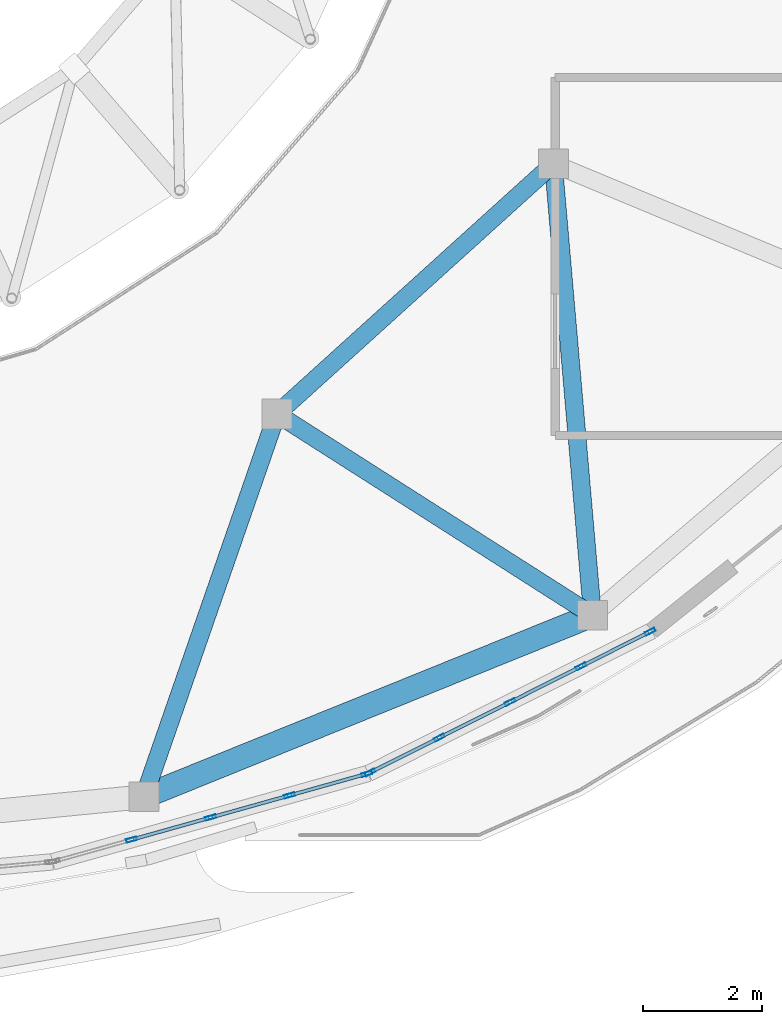
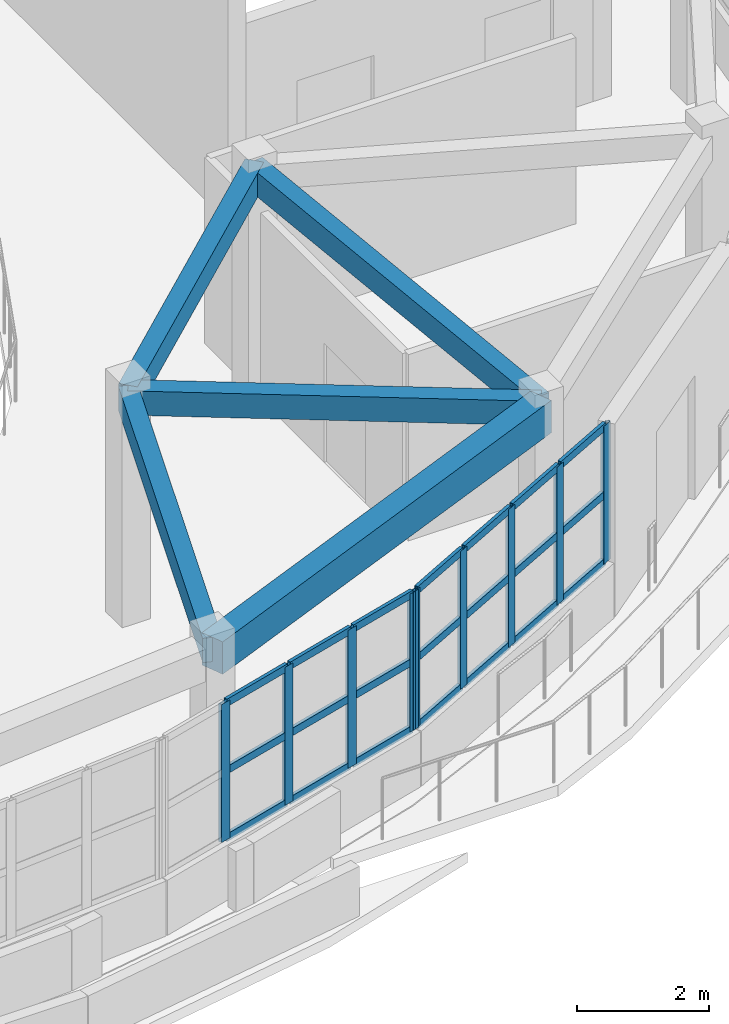
# One storey, part 14 of 38: 30 members, 5 beams, 2 elements without a shape of their own.
"""IFC4 building model written with IfcOpenShell, lengths in metres."""

from ifc_helpers import new_model, si_unit, direction, frame, origin, origin_2d, place, context, subcontext, project, spatial, rectangle, hollow_rectangle, extrude, material, layer, layer_set, material_profile, profile_set, type_object, element, aggregate, save


model = new_model("IFC4")

# Units and contexts
model_context = context("Model", 3, precision=1e-05, world=origin(), true_north=direction((0.0, 1.0)))
body_context = subcontext(model_context, "Body", "Model", "MODEL_VIEW")
ifc_project = project(units=[si_unit("LENGTHUNIT", "METRE"), si_unit("AREAUNIT", "SQUARE_METRE"), si_unit("VOLUMEUNIT", "CUBIC_METRE"), si_unit("PLANEANGLEUNIT", "RADIAN"), si_unit("MASSUNIT", "GRAM", prefix="KILO")], contexts=[model_context])

# Site, building, storey
site_placement = place(None, origin())
site = spatial("IfcSite", under=ifc_project, at=site_placement, CompositionType="ELEMENT")
building_placement = place(site_placement, origin())
building = spatial("IfcBuilding", under=site, at=building_placement, Name="Pelvatis Terrace Science Centre", CompositionType="ELEMENT")
storey_placement = place(building_placement, frame((0.0, 0.0, 24.300048828125)))
storey = spatial("IfcBuildingStorey", under=building, at=storey_placement, Name="L05", CompositionType="ELEMENT", Elevation=24.300048828125)

# Beams
ifc_material_1 = material(Name="Concrete C35/45", Category="concrete")
ifc_material_profile_1 = material_profile(ifc_material_1, rectangle(XDim=0.300048828125, YDim=0.449951171875, at=origin_2d()), Name="RC-BM 300x450")
ifc_profile_set_1 = profile_set([ifc_material_profile_1], Name="Concrete C35/45")
beam_type_1 = type_object("IfcBeamType", Name="BM-RC-300x450", PredefinedType="BEAM", material=ifc_profile_set_1)
beam_1_placement = place(storey_placement, frame((116.3046875, 66.743408203125, 4.034912109375), z_axis=(0.328071814406, 0.944652785203, 0.0), x_axis=(-0.944652785203, 0.328071814406, 0.0)))
element("IfcBeam", 1, at=beam_1_placement, inside=storey, type_object=beam_type_1, Name="Beam BM-L05-3140", PredefinedType="BEAM", context=body_context, shape_type="SweptSolid", body=[
    extrude(rectangle(XDim=0.300048828125, YDim=0.449951171875, at=origin_2d()), origin(), (0.0, 0.0, 1.0), 6.794189453125),
])
beam_2_placement = place(storey_placement, frame((123.82421875, 69.786376953125, 4.034912109375), z_axis=(-0.843044192258, 0.537844298937, 0.0), x_axis=(-0.537844298937, -0.843044192258, 0.0)))
element("IfcBeam", 2, at=beam_2_placement, inside=storey, type_object=beam_type_1, Name="Beam BM-L05-3142", PredefinedType="BEAM", context=body_context, shape_type="SweptSolid", body=[
    extrude(rectangle(XDim=0.300048828125, YDim=0.449951171875, at=origin_2d()), origin(), (0.0, 0.0, 1.0), 6.275390625),
])
beam_3_placement = place(storey_placement, frame((123.82421875, 69.786376953125, 4.034912109375), z_axis=(-0.086284318335, 0.99627055382, 0.0), x_axis=(-0.99627055382, -0.086284318335, 0.0)))
element("IfcBeam", 3, at=beam_3_placement, inside=storey, type_object=beam_type_1, Name="Beam BM-L05-3143", PredefinedType="BEAM", context=body_context, shape_type="SweptSolid", body=[
    extrude(rectangle(XDim=0.300048828125, YDim=0.449951171875, at=origin_2d()), origin(), (0.0, 0.0, 1.0), 7.59716796875),
])
beam_4_placement = place(storey_placement, frame((118.53369140625, 73.16162109375, 4.034912109375), z_axis=(0.741533928448, 0.670915369447, 0.0), x_axis=(-0.670915369447, 0.741533928448, 0.0)))
element("IfcBeam", 4, at=beam_4_placement, inside=storey, type_object=beam_type_1, Name="Beam BM-L05-3148", PredefinedType="BEAM", context=body_context, shape_type="SweptSolid", body=[
    extrude(rectangle(XDim=0.300048828125, YDim=0.449951171875, at=origin_2d()), origin(), (0.0, 0.0, 1.0), 6.25048828125),
])
ifc_material_2 = material(Name="Concrete C35/45", Category="concrete")
ifc_material_profile_2 = material_profile(ifc_material_2, rectangle(XDim=0.39990234375, YDim=0.60009765625, at=origin_2d()), Name="RC-BM 400x600")
ifc_profile_set_2 = profile_set([ifc_material_profile_2], Name="Concrete C35/45")
beam_type_2 = type_object("IfcBeamType", Name="BM-RC-400x600", PredefinedType="BEAM", material=ifc_profile_set_2)
beam_5_placement = place(storey_placement, frame((116.3046875, 66.743408203125, 3.9599609375), z_axis=(0.926974722929, 0.375123796967, 0.0), x_axis=(-0.375123796967, 0.926974722929, 0.0)))
element("IfcBeam", 5, at=beam_5_placement, inside=storey, type_object=beam_type_2, Name="Beam BM-L05-3139", PredefinedType="BEAM", context=body_context, shape_type="SweptSolid", body=[
    extrude(rectangle(XDim=0.39990234375, YDim=0.60009765625, at=origin_2d()), origin(), (0.0, 0.0, 1.0), 8.11181640625),
])

# Curtain wall, members
ifc_material_3 = material(Name="Bronze-anodised aluminium and laminated glass", Category="aluminium")
ifc_layer = layer(ifc_material_3, 0.179931640625)
ifc_layer_set = layer_set([ifc_layer], Name="Bronze-anodised aluminium and laminated glass")
curtain_wall_type = type_object("IfcCurtainWallType", Name="CW-RIBBON-A", PredefinedType="NOTDEFINED", material=ifc_layer_set)
curtain_wall_1_placement = place(storey_placement, origin())
curtain_wall_1 = element("IfcCurtainWall", 6, at=curtain_wall_1_placement, inside=storey, type_object=curtain_wall_type, Name="Ribbon curtain wall CW-259 (L05)", PredefinedType="NOTDEFINED")
ifc_material_4 = material(Name="Bronze-anodised aluminium 6063-T6", Category="aluminium")
ifc_material_profile_3 = material_profile(ifc_material_4, hollow_rectangle(XDim=0.06005859375, YDim=0.179931640625, WallThickness=0.00390625, at=origin_2d()), Name="ALU-MUL 60x180")
ifc_profile_set_3 = profile_set([ifc_material_profile_3], Name="Bronze-anodised aluminium 6063-T6")
member_type_1 = type_object("IfcMemberType", Name="CWM-60x180", PredefinedType="MULLION", material=ifc_profile_set_3)
member_1_placement = place(storey_placement, frame((116.09765625, 66.0234375, 1.02001953125), z_axis=(0.0, 0.0, 1.0), x_axis=(-0.269694685663, 0.962945884526, 0.0)))
member_1 = element("IfcMember", 7, at=member_1_placement, type_object=member_type_1, Name="CW-259 mullion 2", PredefinedType="MULLION", context=body_context, shape_type="SweptSolid", body=[
    extrude(hollow_rectangle(XDim=0.06005859375, YDim=0.179931640625, WallThickness=0.00390625, at=origin_2d()), origin(), (0.0, 0.0, 1.0), 2.559814453125),
])
member_2_placement = place(storey_placement, frame((117.42138671875, 66.39404296875, 1.02001953125), z_axis=(0.0, 0.0, 1.0), x_axis=(-0.269694685663, 0.962945884526, 0.0)))
member_2 = element("IfcMember", 8, at=member_2_placement, type_object=member_type_1, Name="CW-259 mullion 3", PredefinedType="MULLION", context=body_context, shape_type="SweptSolid", body=[
    extrude(hollow_rectangle(XDim=0.06005859375, YDim=0.179931640625, WallThickness=0.00390625, at=origin_2d()), origin(), (0.0, 0.0, 1.0), 2.559814453125),
])
member_3_placement = place(storey_placement, frame((118.7451171875, 66.764892578125, 1.02001953125), z_axis=(0.0, 0.0, 1.0), x_axis=(-0.269694685663, 0.962945884526, 0.0)))
member_3 = element("IfcMember", 9, at=member_3_placement, type_object=member_type_1, Name="CW-259 mullion 4", PredefinedType="MULLION", context=body_context, shape_type="SweptSolid", body=[
    extrude(hollow_rectangle(XDim=0.06005859375, YDim=0.179931640625, WallThickness=0.00390625, at=origin_2d()), origin(), (0.0, 0.0, 1.0), 2.559814453125),
])
member_4_placement = place(storey_placement, frame((120.039794921875, 67.12744140625, 1.02001953125), z_axis=(0.0, 0.0, 1.0), x_axis=(-0.269694685663, 0.962945884526, 0.0)))
member_4 = element("IfcMember", 10, at=member_4_placement, type_object=member_type_1, Name="CW-259 mullion 5", PredefinedType="MULLION", context=body_context, shape_type="SweptSolid", body=[
    extrude(hollow_rectangle(XDim=0.06005859375, YDim=0.179931640625, WallThickness=0.00390625, at=origin_2d()), origin(), (0.0, 0.0, 1.0), 2.559814453125),
])

curtain_wall_2_placement = place(storey_placement, origin())
curtain_wall_2 = element("IfcCurtainWall", 11, at=curtain_wall_2_placement, inside=storey, type_object=curtain_wall_type, Name="Ribbon curtain wall CW-260 (L05)", PredefinedType="NOTDEFINED")
member_5_placement = place(storey_placement, frame((120.095703125, 67.149169921875, 1.02001953125), z_axis=(0.0, 0.0, 1.0), x_axis=(-0.449303995918, 0.893378933741, 0.0)))
member_5 = element("IfcMember", 12, at=member_5_placement, type_object=member_type_1, Name="CW-260 mullion 1", PredefinedType="MULLION", context=body_context, shape_type="SweptSolid", body=[
    extrude(hollow_rectangle(XDim=0.06005859375, YDim=0.179931640625, WallThickness=0.00390625, at=origin_2d()), origin(), (0.0, 0.0, 1.0), 2.559814453125),
])
member_6_placement = place(storey_placement, frame((121.256103515625, 67.732666015625, 1.02001953125), z_axis=(0.0, 0.0, 1.0), x_axis=(-0.449303995918, 0.893378933741, 0.0)))
member_6 = element("IfcMember", 13, at=member_6_placement, type_object=member_type_1, Name="CW-260 mullion 2", PredefinedType="MULLION", context=body_context, shape_type="SweptSolid", body=[
    extrude(hollow_rectangle(XDim=0.06005859375, YDim=0.179931640625, WallThickness=0.00390625, at=origin_2d()), origin(), (0.0, 0.0, 1.0), 2.559814453125),
])
member_7_placement = place(storey_placement, frame((122.443603515625, 68.329833984375, 1.02001953125), z_axis=(0.0, 0.0, 1.0), x_axis=(-0.449303995918, 0.893378933741, 0.0)))
member_7 = element("IfcMember", 14, at=member_7_placement, type_object=member_type_1, Name="CW-260 mullion 3", PredefinedType="MULLION", context=body_context, shape_type="SweptSolid", body=[
    extrude(hollow_rectangle(XDim=0.06005859375, YDim=0.179931640625, WallThickness=0.00390625, at=origin_2d()), origin(), (0.0, 0.0, 1.0), 2.559814453125),
])
member_8_placement = place(storey_placement, frame((123.631103515625, 68.92724609375, 1.02001953125), z_axis=(0.0, 0.0, 1.0), x_axis=(-0.449303995918, 0.893378933741, 0.0)))
member_8 = element("IfcMember", 15, at=member_8_placement, type_object=member_type_1, Name="CW-260 mullion 4", PredefinedType="MULLION", context=body_context, shape_type="SweptSolid", body=[
    extrude(hollow_rectangle(XDim=0.06005859375, YDim=0.179931640625, WallThickness=0.00390625, at=origin_2d()), origin(), (0.0, 0.0, 1.0), 2.559814453125),
])
member_9_placement = place(storey_placement, frame((124.79150390625, 69.5107421875, 1.02001953125), z_axis=(0.0, 0.0, 1.0), x_axis=(-0.449303995918, 0.893378933741, 0.0)))
member_9 = element("IfcMember", 16, at=member_9_placement, type_object=member_type_1, Name="CW-260 mullion 5", PredefinedType="MULLION", context=body_context, shape_type="SweptSolid", body=[
    extrude(hollow_rectangle(XDim=0.06005859375, YDim=0.179931640625, WallThickness=0.00390625, at=origin_2d()), origin(), (0.0, 0.0, 1.0), 2.559814453125),
])

# Member
ifc_material_5 = material(Name="Bronze-anodised aluminium 6063-T6", Category="aluminium")
ifc_material_profile_4 = material_profile(ifc_material_5, hollow_rectangle(XDim=0.06005859375, YDim=0.139892578125, WallThickness=0.00390625, at=origin_2d()), Name="ALU-TRN 60x140")
ifc_profile_set_4 = profile_set([ifc_material_profile_4], Name="Bronze-anodised aluminium 6063-T6")
member_type_2 = type_object("IfcMemberType", Name="CWT-60x140", PredefinedType="USERDEFINED", material=ifc_profile_set_4)
member_10_placement = place(storey_placement, frame((116.126708984375, 66.031494140625, 1.050048828125), z_axis=(0.962954374923, 0.269664368831, 0.0), x_axis=(-0.269664368831, 0.962954374923, 0.0)))
member_10 = element("IfcMember", 17, at=member_10_placement, type_object=member_type_2, Name="CW-259 transom 2.1", ObjectType="TRANSOM", PredefinedType="USERDEFINED", context=body_context, shape_type="SweptSolid", body=[
    extrude(hollow_rectangle(XDim=0.06005859375, YDim=0.139892578125, WallThickness=0.00390625, at=origin_2d()), origin(), (0.0, 0.0, 1.0), 1.314453125),
])

member_11_placement = place(storey_placement, frame((116.126708984375, 66.031494140625, 2.300048828125), z_axis=(0.962954374923, 0.269664368831, 0.0), x_axis=(-0.269664368831, 0.962954374923, 0.0)))
member_11 = element("IfcMember", 18, at=member_11_placement, type_object=member_type_2, Name="CW-259 transom 2.2", ObjectType="TRANSOM", PredefinedType="USERDEFINED", context=body_context, shape_type="SweptSolid", body=[
    extrude(hollow_rectangle(XDim=0.06005859375, YDim=0.139892578125, WallThickness=0.00390625, at=origin_2d()), origin(), (0.0, 0.0, 1.0), 1.314453125),
])

member_12_placement = place(storey_placement, frame((116.126708984375, 66.031494140625, 3.550048828125), z_axis=(0.962954374923, 0.269664368831, 0.0), x_axis=(-0.269664368831, 0.962954374923, 0.0)))
member_12 = element("IfcMember", 19, at=member_12_placement, type_object=member_type_2, Name="CW-259 transom 2.3", ObjectType="TRANSOM", PredefinedType="USERDEFINED", context=body_context, shape_type="SweptSolid", body=[
    extrude(hollow_rectangle(XDim=0.06005859375, YDim=0.139892578125, WallThickness=0.00390625, at=origin_2d()), origin(), (0.0, 0.0, 1.0), 1.314453125),
])

member_13_placement = place(storey_placement, frame((117.450439453125, 66.40234375, 1.050048828125), z_axis=(0.962954374923, 0.269664368831, 0.0), x_axis=(-0.269664368831, 0.962954374923, 0.0)))
member_13 = element("IfcMember", 20, at=member_13_placement, type_object=member_type_2, Name="CW-259 transom 3.1", ObjectType="TRANSOM", PredefinedType="USERDEFINED", context=body_context, shape_type="SweptSolid", body=[
    extrude(hollow_rectangle(XDim=0.06005859375, YDim=0.139892578125, WallThickness=0.00390625, at=origin_2d()), origin(), (0.0, 0.0, 1.0), 1.314453125),
])

member_14_placement = place(storey_placement, frame((117.450439453125, 66.40234375, 2.300048828125), z_axis=(0.962954374923, 0.269664368831, 0.0), x_axis=(-0.269664368831, 0.962954374923, 0.0)))
member_14 = element("IfcMember", 21, at=member_14_placement, type_object=member_type_2, Name="CW-259 transom 3.2", ObjectType="TRANSOM", PredefinedType="USERDEFINED", context=body_context, shape_type="SweptSolid", body=[
    extrude(hollow_rectangle(XDim=0.06005859375, YDim=0.139892578125, WallThickness=0.00390625, at=origin_2d()), origin(), (0.0, 0.0, 1.0), 1.314453125),
])

member_15_placement = place(storey_placement, frame((117.450439453125, 66.40234375, 3.550048828125), z_axis=(0.962954374923, 0.269664368831, 0.0), x_axis=(-0.269664368831, 0.962954374923, 0.0)))
member_15 = element("IfcMember", 22, at=member_15_placement, type_object=member_type_2, Name="CW-259 transom 3.3", ObjectType="TRANSOM", PredefinedType="USERDEFINED", context=body_context, shape_type="SweptSolid", body=[
    extrude(hollow_rectangle(XDim=0.06005859375, YDim=0.139892578125, WallThickness=0.00390625, at=origin_2d()), origin(), (0.0, 0.0, 1.0), 1.314453125),
])

member_16_placement = place(storey_placement, frame((118.77392578125, 66.77294921875, 1.050048828125), z_axis=(0.96295217629, 0.269672219885, 0.0), x_axis=(-0.269672219885, 0.96295217629, 0.0)))
member_16 = element("IfcMember", 23, at=member_16_placement, type_object=member_type_2, Name="CW-259 transom 4.1", ObjectType="TRANSOM", PredefinedType="USERDEFINED", context=body_context, shape_type="SweptSolid", body=[
    extrude(hollow_rectangle(XDim=0.06005859375, YDim=0.139892578125, WallThickness=0.00390625, at=origin_2d()), origin(), (0.0, 0.0, 1.0), 1.28466796875),
])

member_17_placement = place(storey_placement, frame((118.77392578125, 66.77294921875, 2.300048828125), z_axis=(0.96295217629, 0.269672219885, 0.0), x_axis=(-0.269672219885, 0.96295217629, 0.0)))
member_17 = element("IfcMember", 24, at=member_17_placement, type_object=member_type_2, Name="CW-259 transom 4.2", ObjectType="TRANSOM", PredefinedType="USERDEFINED", context=body_context, shape_type="SweptSolid", body=[
    extrude(hollow_rectangle(XDim=0.06005859375, YDim=0.139892578125, WallThickness=0.00390625, at=origin_2d()), origin(), (0.0, 0.0, 1.0), 1.28466796875),
])

member_18_placement = place(storey_placement, frame((118.77392578125, 66.77294921875, 3.550048828125), z_axis=(0.96295217629, 0.269672219885, 0.0), x_axis=(-0.269672219885, 0.96295217629, 0.0)))
member_18 = element("IfcMember", 25, at=member_18_placement, type_object=member_type_2, Name="CW-259 transom 4.3", ObjectType="TRANSOM", PredefinedType="USERDEFINED", context=body_context, shape_type="SweptSolid", body=[
    extrude(hollow_rectangle(XDim=0.06005859375, YDim=0.139892578125, WallThickness=0.00390625, at=origin_2d()), origin(), (0.0, 0.0, 1.0), 1.28466796875),
])

aggregate(curtain_wall_1, [member_1, member_2, member_3, member_4, member_10, member_11, member_12, member_13, member_14, member_15, member_16, member_17, member_18])

member_19_placement = place(storey_placement, frame((120.122314453125, 67.16259765625, 1.050048828125), z_axis=(0.893439971707, 0.449182609811, 0.0), x_axis=(-0.449182609811, 0.893439971707, 0.0)))
member_19 = element("IfcMember", 26, at=member_19_placement, type_object=member_type_2, Name="CW-260 transom 1.1", ObjectType="TRANSOM", PredefinedType="USERDEFINED", context=body_context, shape_type="SweptSolid", body=[
    extrude(hollow_rectangle(XDim=0.06005859375, YDim=0.139892578125, WallThickness=0.00390625, at=origin_2d()), origin(), (0.0, 0.0, 1.0), 1.2392578125),
])

member_20_placement = place(storey_placement, frame((120.122314453125, 67.16259765625, 2.300048828125), z_axis=(0.893439971707, 0.449182609811, 0.0), x_axis=(-0.449182609811, 0.893439971707, 0.0)))
member_20 = element("IfcMember", 27, at=member_20_placement, type_object=member_type_2, Name="CW-260 transom 1.2", ObjectType="TRANSOM", PredefinedType="USERDEFINED", context=body_context, shape_type="SweptSolid", body=[
    extrude(hollow_rectangle(XDim=0.06005859375, YDim=0.139892578125, WallThickness=0.00390625, at=origin_2d()), origin(), (0.0, 0.0, 1.0), 1.2392578125),
])

member_21_placement = place(storey_placement, frame((120.122314453125, 67.16259765625, 3.550048828125), z_axis=(0.893439971707, 0.449182609811, 0.0), x_axis=(-0.449182609811, 0.893439971707, 0.0)))
member_21 = element("IfcMember", 28, at=member_21_placement, type_object=member_type_2, Name="CW-260 transom 1.3", ObjectType="TRANSOM", PredefinedType="USERDEFINED", context=body_context, shape_type="SweptSolid", body=[
    extrude(hollow_rectangle(XDim=0.06005859375, YDim=0.139892578125, WallThickness=0.00390625, at=origin_2d()), origin(), (0.0, 0.0, 1.0), 1.2392578125),
])

member_22_placement = place(storey_placement, frame((121.282958984375, 67.746337890625, 1.050048828125), z_axis=(0.893424563926, 0.449213255118, 0.0), x_axis=(-0.449213255118, 0.893424563926, 0.0)))
member_22 = element("IfcMember", 29, at=member_22_placement, type_object=member_type_2, Name="CW-260 transom 2.1", ObjectType="TRANSOM", PredefinedType="USERDEFINED", context=body_context, shape_type="SweptSolid", body=[
    extrude(hollow_rectangle(XDim=0.06005859375, YDim=0.139892578125, WallThickness=0.00390625, at=origin_2d()), origin(), (0.0, 0.0, 1.0), 1.26904296875),
])

member_23_placement = place(storey_placement, frame((121.282958984375, 67.746337890625, 2.300048828125), z_axis=(0.893424563926, 0.449213255118, 0.0), x_axis=(-0.449213255118, 0.893424563926, 0.0)))
member_23 = element("IfcMember", 30, at=member_23_placement, type_object=member_type_2, Name="CW-260 transom 2.2", ObjectType="TRANSOM", PredefinedType="USERDEFINED", context=body_context, shape_type="SweptSolid", body=[
    extrude(hollow_rectangle(XDim=0.06005859375, YDim=0.139892578125, WallThickness=0.00390625, at=origin_2d()), origin(), (0.0, 0.0, 1.0), 1.26904296875),
])

member_24_placement = place(storey_placement, frame((121.282958984375, 67.746337890625, 3.550048828125), z_axis=(0.893424563926, 0.449213255118, 0.0), x_axis=(-0.449213255118, 0.893424563926, 0.0)))
member_24 = element("IfcMember", 31, at=member_24_placement, type_object=member_type_2, Name="CW-260 transom 2.3", ObjectType="TRANSOM", PredefinedType="USERDEFINED", context=body_context, shape_type="SweptSolid", body=[
    extrude(hollow_rectangle(XDim=0.06005859375, YDim=0.139892578125, WallThickness=0.00390625, at=origin_2d()), origin(), (0.0, 0.0, 1.0), 1.26904296875),
])

member_25_placement = place(storey_placement, frame((122.470458984375, 68.343505859375, 1.050048828125), z_axis=(0.893424563926, 0.449213255118, 0.0), x_axis=(-0.449213255118, 0.893424563926, 0.0)))
member_25 = element("IfcMember", 32, at=member_25_placement, type_object=member_type_2, Name="CW-260 transom 3.1", ObjectType="TRANSOM", PredefinedType="USERDEFINED", context=body_context, shape_type="SweptSolid", body=[
    extrude(hollow_rectangle(XDim=0.06005859375, YDim=0.139892578125, WallThickness=0.00390625, at=origin_2d()), origin(), (0.0, 0.0, 1.0), 1.26904296875),
])

member_26_placement = place(storey_placement, frame((122.470458984375, 68.343505859375, 2.300048828125), z_axis=(0.893424563926, 0.449213255118, 0.0), x_axis=(-0.449213255118, 0.893424563926, 0.0)))
member_26 = element("IfcMember", 33, at=member_26_placement, type_object=member_type_2, Name="CW-260 transom 3.2", ObjectType="TRANSOM", PredefinedType="USERDEFINED", context=body_context, shape_type="SweptSolid", body=[
    extrude(hollow_rectangle(XDim=0.06005859375, YDim=0.139892578125, WallThickness=0.00390625, at=origin_2d()), origin(), (0.0, 0.0, 1.0), 1.26904296875),
])

member_27_placement = place(storey_placement, frame((122.470458984375, 68.343505859375, 3.550048828125), z_axis=(0.893424563926, 0.449213255118, 0.0), x_axis=(-0.449213255118, 0.893424563926, 0.0)))
member_27 = element("IfcMember", 34, at=member_27_placement, type_object=member_type_2, Name="CW-260 transom 3.3", ObjectType="TRANSOM", PredefinedType="USERDEFINED", context=body_context, shape_type="SweptSolid", body=[
    extrude(hollow_rectangle(XDim=0.06005859375, YDim=0.139892578125, WallThickness=0.00390625, at=origin_2d()), origin(), (0.0, 0.0, 1.0), 1.26904296875),
])

member_28_placement = place(storey_placement, frame((123.65771484375, 68.940673828125, 1.050048828125), z_axis=(0.893439971707, 0.449182609811, 0.0), x_axis=(-0.449182609811, 0.893439971707, 0.0)))
member_28 = element("IfcMember", 35, at=member_28_placement, type_object=member_type_2, Name="CW-260 transom 4.1", ObjectType="TRANSOM", PredefinedType="USERDEFINED", context=body_context, shape_type="SweptSolid", body=[
    extrude(hollow_rectangle(XDim=0.06005859375, YDim=0.139892578125, WallThickness=0.00390625, at=origin_2d()), origin(), (0.0, 0.0, 1.0), 1.2392578125),
])

member_29_placement = place(storey_placement, frame((123.65771484375, 68.940673828125, 2.300048828125), z_axis=(0.893439971707, 0.449182609811, 0.0), x_axis=(-0.449182609811, 0.893439971707, 0.0)))
member_29 = element("IfcMember", 36, at=member_29_placement, type_object=member_type_2, Name="CW-260 transom 4.2", ObjectType="TRANSOM", PredefinedType="USERDEFINED", context=body_context, shape_type="SweptSolid", body=[
    extrude(hollow_rectangle(XDim=0.06005859375, YDim=0.139892578125, WallThickness=0.00390625, at=origin_2d()), origin(), (0.0, 0.0, 1.0), 1.2392578125),
])

member_30_placement = place(storey_placement, frame((123.65771484375, 68.940673828125, 3.550048828125), z_axis=(0.893439971707, 0.449182609811, 0.0), x_axis=(-0.449182609811, 0.893439971707, 0.0)))
member_30 = element("IfcMember", 37, at=member_30_placement, type_object=member_type_2, Name="CW-260 transom 4.3", ObjectType="TRANSOM", PredefinedType="USERDEFINED", context=body_context, shape_type="SweptSolid", body=[
    extrude(hollow_rectangle(XDim=0.06005859375, YDim=0.139892578125, WallThickness=0.00390625, at=origin_2d()), origin(), (0.0, 0.0, 1.0), 1.2392578125),
])

aggregate(curtain_wall_2, [member_5, member_6, member_7, member_8, member_9, member_19, member_20, member_21, member_22, member_23, member_24, member_25, member_26, member_27, member_28, member_29, member_30])

save(model, "model.ifc")
